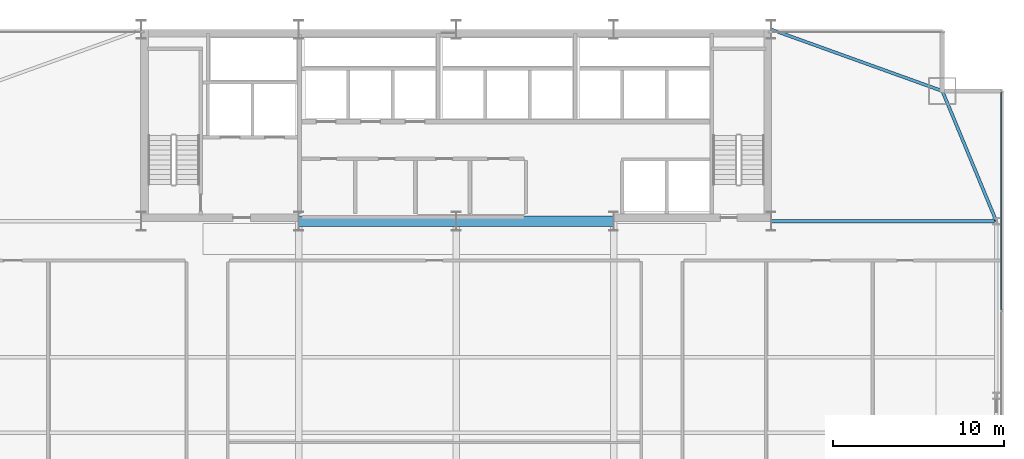
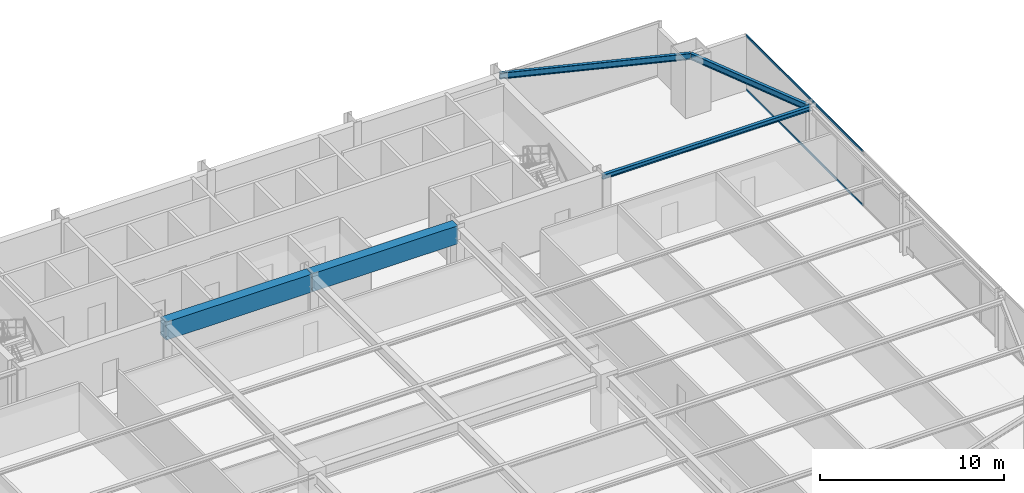
# One storey, part 23 of 32: 5 beams, 2 members, 1 element without a shape of its own.
"""IFC4 building model written with IfcOpenShell, lengths in metres."""

from ifc_helpers import new_model, si_unit, direction, frame, origin, origin_2d, place, context, subcontext, project, spatial, rectangle, hollow_rectangle, i_section, extrude, source, transform, mapped, material, layer, layer_set, material_profile, profile_set, type_object, type_shapes, element, aggregate, save


model = new_model("IFC4")

# Units and contexts
model_context = context("Model", 3, precision=1e-05, world=origin(), true_north=direction((0.0, 1.0)))
body_context = subcontext(model_context, "Body", "Model", "MODEL_VIEW")
ifc_project = project(units=[si_unit("LENGTHUNIT", "METRE"), si_unit("AREAUNIT", "SQUARE_METRE"), si_unit("VOLUMEUNIT", "CUBIC_METRE"), si_unit("PLANEANGLEUNIT", "RADIAN"), si_unit("MASSUNIT", "GRAM", prefix="KILO")], contexts=[model_context])

# Site, building, storey
site_placement = place(None, origin())
site = spatial("IfcSite", under=ifc_project, at=site_placement, CompositionType="ELEMENT")
building_placement = place(site_placement, origin())
building = spatial("IfcBuilding", under=site, at=building_placement, Name="Varnel Quay Broadcast Tower", CompositionType="ELEMENT")
storey_placement = place(building_placement, frame((0.0, 0.0, 70.5)))
storey = spatial("IfcBuildingStorey", under=building, at=storey_placement, Name="L16", CompositionType="ELEMENT", Elevation=70.5)

# Beams
ifc_material_1 = material(Name="Structural Steel CSA G40.21 350W", Category="steel")
ifc_material_profile_1 = material_profile(ifc_material_1, i_section(OverallWidth=0.180908203125, OverallDepth=0.4169921875, WebThickness=0.010986328125, FlangeThickness=0.018310546875, FilletRadius=0.011962890625, at=origin_2d()), Name="W410X85")
ifc_profile_set_1 = profile_set([ifc_material_profile_1], Name="Structural Steel CSA G40.21 350W")
beam_type_1 = type_object("IfcBeamType", Name="Beam_W410X85", PredefinedType="SPANDREL", material=ifc_profile_set_1)
shared_shape_1 = source(origin(), body_context, "Body", "SweptSolid", [
    extrude(i_section(OverallWidth=0.180908203125, OverallDepth=0.4169921875, WebThickness=0.010986328125, FlangeThickness=0.018310546875, FilletRadius=0.011962890625, at=origin_2d()), origin(), (0.0, 0.0, 1.0), 8.186767578125),
])
beam_1_placement = place(storey_placement, frame((65.542236328125, 35.618408203125, 3.44140625), z_axis=(-0.382874132092, 0.923800519038, 0.0), x_axis=(-0.923800519038, -0.382874132092, 0.0)))
element("IfcBeam", 1, at=beam_1_placement, inside=storey, type_object=beam_type_1, Name="L16 East Spandrel TC-E3-MC-NE", PredefinedType="SPANDREL", context=body_context, shape_type="MappedRepresentation", body=[
    mapped(shared_shape_1, transform((0.0, 0.0, 0.0), x_axis=(1.0, 0.0, 0.0), y_axis=(0.0, 1.0, 0.0), z_axis=(0.0, 0.0, 1.0), scale=1.0)),
])
shared_shape_2 = source(origin(), body_context, "Body", "SweptSolid", [
    extrude(i_section(OverallWidth=0.180908203125, OverallDepth=0.4169921875, WebThickness=0.010986328125, FlangeThickness=0.018310546875, FilletRadius=0.011962890625, at=origin_2d()), origin(), (0.0, 0.0, 1.0), 10.58837890625),
])
type_shapes(beam_type_1, [shared_shape_1, shared_shape_2])
beam_2_placement = place(storey_placement, frame((52.418701171875, 46.793212890625, 3.44140625), z_axis=(0.940888587605, -0.338716202321, 0.0), x_axis=(0.338716202321, 0.940888587605, 0.0)))
element("IfcBeam", 2, at=beam_2_placement, inside=storey, type_object=beam_type_1, Name="L16 NE Tie Spandrel", PredefinedType="SPANDREL", context=body_context, shape_type="MappedRepresentation", body=[
    mapped(shared_shape_2, transform((0.0, 0.0, 0.0), x_axis=(1.0, 0.0, 0.0), y_axis=(0.0, 1.0, 0.0), z_axis=(0.0, 0.0, 1.0), scale=1.0)),
])
ifc_material_2 = material(Name="Concrete CSA A23.3 C60/75", Category="concrete")
ifc_material_profile_2 = material_profile(ifc_material_2, rectangle(XDim=0.60009765625, YDim=1.199951171875, at=origin_2d()), Name="RC600X1200")
ifc_profile_set_2 = profile_set([ifc_material_profile_2], Name="Concrete CSA A23.3 C60/75")
beam_type_2 = type_object("IfcBeamType", Name="Beam_RC600X1200", PredefinedType="BEAM", material=ifc_profile_set_2)
shared_shape_3 = source(origin(), body_context, "Body", "SweptSolid", [
    extrude(rectangle(XDim=0.60009765625, YDim=1.199951171875, at=origin_2d()), origin(), (0.0, 0.0, 1.0), 9.159912109375),
])
type_shapes(beam_type_2, [shared_shape_3])
for number, where, z_axis, x_axis, name in (
    (3, (24.820068359375, 35.60009765625, 3.050048828125), (1.0, 0.0, 0.0), (0.0, 1.0, 0.0), "L16 Core Coupling Beam W"),
    (4, (34.02001953125, 35.60009765625, 3.050048828125), (1.0, 0.0, 0.0), (0.0, 1.0, 0.0), "L16 Core Coupling Beam E"),
):
    element("IfcBeam", number, at=place(storey_placement, frame(where, z_axis=z_axis, x_axis=x_axis)), inside=storey, type_object=beam_type_2, Name=name, PredefinedType="BEAM", context=body_context, shape_type="MappedRepresentation", body=[
        mapped(shared_shape_3, transform((0.0, 0.0, 0.0), x_axis=(1.0, 0.0, 0.0), y_axis=(0.0, 1.0, 0.0), z_axis=(0.0, 0.0, 1.0), scale=1.0)),
    ])
ifc_material_profile_3 = material_profile(ifc_material_1, i_section(OverallWidth=0.202880859375, OverallDepth=0.302978515625, WebThickness=0.007568359375, FlangeThickness=0.01318359375, FilletRadius=0.011962890625, at=origin_2d()), Name="W310X60")
ifc_profile_set_3 = profile_set([ifc_material_profile_3], Name="Structural Steel CSA G40.21 350W")
beam_type_3 = type_object("IfcBeamType", Name="Beam_W310X60", PredefinedType="JOIST", material=ifc_profile_set_3)
shared_shape_4 = source(origin(), body_context, "Body", "SweptSolid", [
    extrude(i_section(OverallWidth=0.202880859375, OverallDepth=0.302978515625, WebThickness=0.007568359375, FlangeThickness=0.01318359375, FilletRadius=0.011962890625, at=origin_2d()), origin(), (0.0, 0.0, 1.0), 13.110107421875),
])
type_shapes(beam_type_3, [shared_shape_4])
beam_3_placement = place(storey_placement, frame((52.419921875, 35.60009765625, 3.49853515625), z_axis=(1.0, 0.0, 0.0), x_axis=(0.0, 1.0, 0.0)))
element("IfcBeam", 5, at=beam_3_placement, inside=storey, type_object=beam_type_3, Name="L16 East Core Tie Joist", PredefinedType="JOIST", context=body_context, shape_type="MappedRepresentation", body=[
    mapped(shared_shape_4, transform((0.0, 0.0, 0.0), x_axis=(1.0, 0.0, 0.0), y_axis=(0.0, 1.0, 0.0), z_axis=(0.0, 0.0, 1.0), scale=1.0)),
])

# Curtain wall, members
ifc_material_3 = material(Name="Anodised Bronze Aluminium 6063-T6", Category="aluminium")
ifc_layer = layer(ifc_material_3, 0.18994140625, Name="Anodised Bronze Aluminium 6063-T6")
ifc_layer_set = layer_set([ifc_layer], Name="Anodised Bronze Aluminium 6063-T6")
curtain_wall_type = type_object("IfcCurtainWallType", Name="CW_LowerTower", PredefinedType="NOTDEFINED", material=ifc_layer_set)
curtain_wall_placement = place(storey_placement, origin())
curtain_wall = element("IfcCurtainWall", 6, at=curtain_wall_placement, inside=storey, type_object=curtain_wall_type, Name="L16 East Unitised Curtain Wall", PredefinedType="NOTDEFINED")
ifc_material_profile_4 = material_profile(ifc_material_3, hollow_rectangle(XDim=0.06005859375, YDim=0.14501953125, WallThickness=0.00341796875, at=origin_2d()), Name="ALU60X145X3.5")
ifc_profile_set_4 = profile_set([ifc_material_profile_4], Name="Anodised Bronze Aluminium 6063-T6")
member_type = type_object("IfcMemberType", Name="Tran_CWS-02", PredefinedType="USERDEFINED", material=ifc_profile_set_4)
shared_shape_5 = source(origin(), body_context, "Body", "SweptSolid", [
    extrude(hollow_rectangle(XDim=0.06005859375, YDim=0.14501953125, WallThickness=0.00341796875, at=origin_2d()), origin(), (0.0, 0.0, 1.0), 12.69482421875),
])
type_shapes(member_type, [shared_shape_5])
member_1_placement = place(storey_placement, frame((65.85009765625, 30.43505859375, 0.030029296875), z_axis=(0.0, 1.0, 0.0), x_axis=(-1.0, 0.0, 0.0)))
member_1 = element("IfcMember", 7, at=member_1_placement, type_object=member_type, Name="CWS-02 transom 3.1", ObjectType="TRANSOM", PredefinedType="USERDEFINED", context=body_context, shape_type="MappedRepresentation", body=[
    mapped(shared_shape_5, transform((0.0, 0.0, 0.0), x_axis=(1.0, 0.0, 0.0), y_axis=(0.0, 1.0, 0.0), z_axis=(0.0, 0.0, 1.0), scale=1.0)),
])
member_2_placement = place(storey_placement, frame((65.85009765625, 30.43505859375, 3.6201171875), z_axis=(0.0, 1.0, 0.0), x_axis=(-1.0, 0.0, 0.0)))
member_2 = element("IfcMember", 8, at=member_2_placement, type_object=member_type, Name="CWS-02 transom 3.2", ObjectType="TRANSOM", PredefinedType="USERDEFINED", context=body_context, shape_type="MappedRepresentation", body=[
    mapped(shared_shape_5, transform((0.0, 0.0, 0.0), x_axis=(1.0, 0.0, 0.0), y_axis=(0.0, 1.0, 0.0), z_axis=(0.0, 0.0, 1.0), scale=1.0)),
])
aggregate(curtain_wall, [member_1, member_2])

save(model, "model.ifc")
